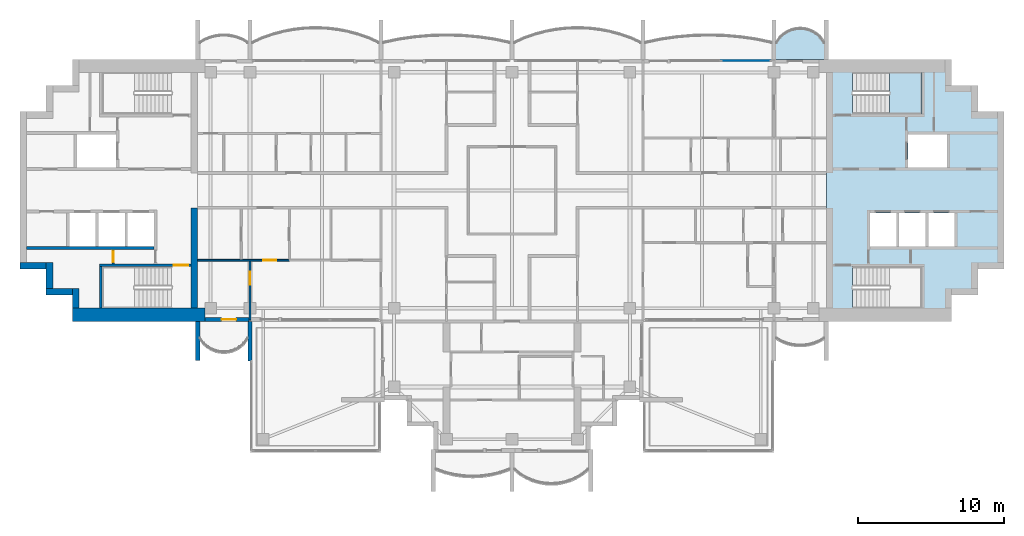
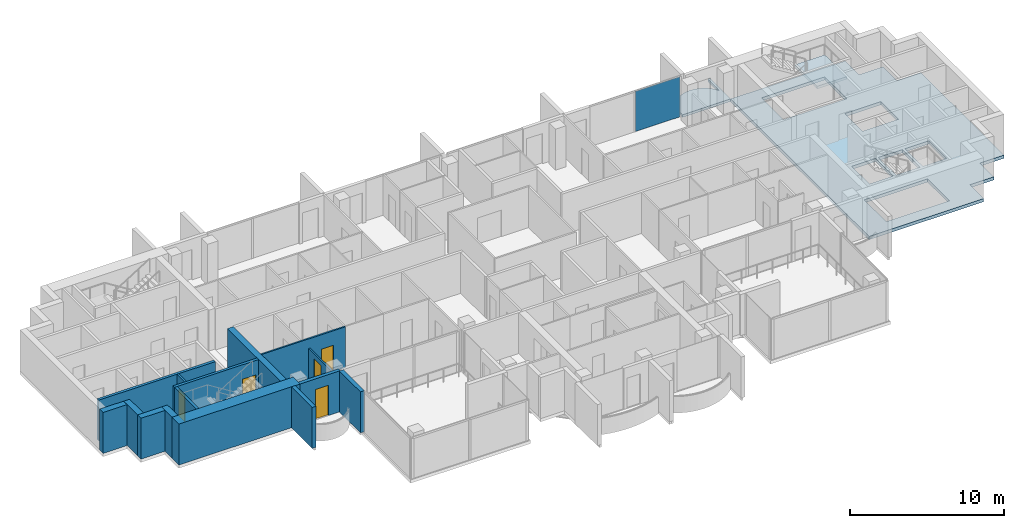
# One storey, part 6 of 16: 15 walls, 5 doors, 3 slabs, 1 plate, 5 openings, 2 elements without a shape of their own.
"""IFC4 building model written with IfcOpenShell, lengths in metres."""

from ifc_helpers import new_model, si_unit, direction, frame, frame_2d, origin, origin_2d, place, context, subcontext, project, spatial, polyline, rectangle, outline, extrude, material, layer, layer_set, type_object, element, fill, aggregate, save


model = new_model("IFC4")

# Units and contexts
model_context = context("Model", 3, precision=1e-05, world=origin(), true_north=direction((0.0, 1.0)))
body_context = subcontext(model_context, "Body", "Model", "MODEL_VIEW")
ifc_project = project(units=[si_unit("LENGTHUNIT", "METRE"), si_unit("AREAUNIT", "SQUARE_METRE"), si_unit("VOLUMEUNIT", "CUBIC_METRE"), si_unit("PLANEANGLEUNIT", "RADIAN"), si_unit("MASSUNIT", "GRAM", prefix="KILO")], contexts=[model_context])

# Site, building, storey
site_placement = place(None, origin())
site = spatial("IfcSite", under=ifc_project, at=site_placement, CompositionType="ELEMENT")
building_placement = place(site_placement, origin())
building = spatial("IfcBuilding", under=site, at=building_placement, Name="Perihelion Cross Residences", CompositionType="ELEMENT")
storey_placement = place(building_placement, frame((0.0, 0.0, 257.0)))
storey = spatial("IfcBuildingStorey", under=building, at=storey_placement, Name="L65", CompositionType="ELEMENT", Elevation=257.0)

# Slab
ifc_material_1 = material(Name="Concrete C40/50", Category="concrete")
ifc_layer_1 = layer(ifc_material_1, 0.199951171875)
ifc_layer_set_1 = layer_set([ifc_layer_1], Name="Balcony slab 200")
slab_type_1 = type_object("IfcSlabType", Name="Balcony slab 200", PredefinedType="FLOOR", material=ifc_layer_set_1)
slab_1_placement = place(storey_placement, frame((0.0, 0.0, -0.199951171875)))
element("IfcSlab", 1, at=slab_1_placement, inside=storey, type_object=slab_type_1, Name="Slab BK1 L65 east side north bay 1 balcony", PredefinedType="FLOOR", context=body_context, shape_type="SweptSolid", body=[
    extrude(outline(polyline([(21.60009765625, 9.0), (18.0, 9.0), (18.0, 11.699951171875), (18.14990234375, 11.699951171875), (18.14990234375, 10.199951171875), (18.425048828125, 10.568603515625), (18.699951171875, 10.806396484375), (18.97509765625, 10.96875), (19.25, 11.07568359375), (19.52490234375, 11.136962890625), (19.800048828125, 11.156982421875), (20.074951171875, 11.136962890625), (20.35009765625, 11.07568359375), (20.625, 10.96875), (20.89990234375, 10.806396484375), (21.175048828125, 10.568603515625), (21.449951171875, 10.199951171875), (21.449951171875, 11.699951171875), (21.60009765625, 11.699951171875), (21.60009765625, 9.0)])), origin(), (0.0, 0.0, 1.0), 0.199951171875),
])

# Curtain wall, plate
ifc_material_2 = material(Name="Bronze anodised aluminium, tinted glazing", Category="aluminium")
curtain_wall_type = type_object("IfcCurtainWallType", Name="CW1", PredefinedType="NOTDEFINED", material=ifc_material_2)
curtain_wall_placement = place(storey_placement, origin())
curtain_wall = element("IfcCurtainWall", 2, at=curtain_wall_placement, inside=storey, type_object=curtain_wall_type, Name="Curtain wall CW1 L65 east side north bay 2", PredefinedType="NOTDEFINED")
ifc_material_3 = material(Name="Tinted laminated glass", Category="glass")
ifc_layer_2 = layer(ifc_material_3, 0.028076171875)
ifc_layer_set_2 = layer_set([ifc_layer_2], Name="CW1 panel")
plate_type = type_object("IfcPlateType", Name="CW1 panel", PredefinedType="CURTAIN_PANEL", material=ifc_layer_set_2)
plate_placement = place(storey_placement, frame((16.06005859375, 8.89990234375, 0.0), z_axis=(0.0, 0.0, 1.0), x_axis=(-1.0, 0.0, 0.0)))
plate = element("IfcPlate", 3, at=plate_placement, type_object=plate_type, Name="CW1 panel 1", PredefinedType="CURTAIN_PANEL", context=body_context, shape_type="SweptSolid", body=[
    extrude(rectangle(XDim=3.360107421875, YDim=0.028076171875, at=origin_2d()), origin(), (0.0, 0.0, 1.0), 3.18994140625),
])
aggregate(curtain_wall, [plate])

# Slab
ifc_material_4 = material(Name="Concrete C40/50", Category="concrete")
ifc_layer_3 = layer(ifc_material_4, 0.25)
ifc_layer_set_3 = layer_set([ifc_layer_3], Name="Core floor slab 250")
slab_type_2 = type_object("IfcSlabType", Name="Core floor slab 250", PredefinedType="FLOOR", material=ifc_layer_set_3)
slab_2_placement = place(storey_placement, frame((0.0, 0.0, -0.25)))
element("IfcSlab", 4, at=slab_2_placement, inside=storey, type_object=slab_type_2, Name="East core floor slab", PredefinedType="FLOOR", context=body_context, shape_type="SweptSolid", body=[
    extrude(outline(polyline([(30.199951171875, 7.199951171875), (32.0, 7.199951171875), (32.0, 5.39990234375), (33.800048828125, 5.39990234375), (33.800048828125, -5.39990234375), (32.0, -5.39990234375), (32.0, -7.199951171875), (30.199951171875, -7.199951171875), (30.199951171875, -9.0), (21.60009765625, -9.0), (21.60009765625, 9.0), (30.199951171875, 9.0), (30.199951171875, 7.199951171875)]), holes=[polyline([(28.14990234375, -8.10009765625), (28.14990234375, -5.25), (23.405029296875, -5.25), (23.405029296875, -8.10009765625), (28.14990234375, -8.10009765625)]), polyline([(24.60009765625, -1.550048828125), (24.60009765625, -3.85009765625), (26.39990234375, -3.85009765625), (26.39990234375, -1.550048828125), (24.60009765625, -1.550048828125)]), polyline([(26.60009765625, -1.550048828125), (26.60009765625, -3.85009765625), (28.39990234375, -3.85009765625), (28.39990234375, -1.550048828125), (26.60009765625, -1.550048828125)]), polyline([(28.60009765625, -3.85009765625), (30.39990234375, -3.85009765625), (30.39990234375, -1.550048828125), (28.60009765625, -1.550048828125), (28.60009765625, -3.85009765625)]), polyline([(27.199951171875, 3.85009765625), (27.199951171875, 1.550048828125), (29.89990234375, 1.550048828125), (29.89990234375, 3.85009765625), (27.199951171875, 3.85009765625)]), polyline([(23.405029296875, 5.25), (28.14990234375, 5.25), (28.14990234375, 8.10009765625), (23.405029296875, 8.10009765625), (23.405029296875, 5.25)])]), origin(), (0.0, 0.0, 1.0), 0.25),
])

# Stair, slab
ifc_material_5 = material(Name="Concrete C40/50", Category="concrete")
stair_type = type_object("IfcStairType", Name="Exit stair, half-turn", PredefinedType="HALF_TURN_STAIR", material=ifc_material_5)
stair_placement = place(storey_placement, origin())
stair = element("IfcStair", 5, at=stair_placement, inside=storey, type_object=stair_type, Name="L65 East core exit stair 1", PredefinedType="HALF_TURN_STAIR")
ifc_material_6 = material(Name="Concrete C40/50", Category="concrete")
ifc_layer_4 = layer(ifc_material_6, 0.199951171875)
ifc_layer_set_4 = layer_set([ifc_layer_4], Name="Exit stair landing 200")
slab_type_3 = type_object("IfcSlabType", Name="Exit stair landing 200", PredefinedType="LANDING", material=ifc_layer_set_4)
slab_3_placement = place(storey_placement, frame((0.0, 0.0, 1.550048828125)))
slab_3 = element("IfcSlab", 6, at=slab_3_placement, type_object=slab_type_3, Name="ST-E1 landing 1", PredefinedType="LANDING", context=body_context, shape_type="SweptSolid", body=[
    extrude(outline(polyline([(25.919921875, 5.25), (28.14990234375, 5.25), (28.14990234375, 8.10009765625), (25.919921875, 8.10009765625), (25.919921875, 5.25)])), origin(), (0.0, 0.0, 1.0), 0.199951171875),
])
aggregate(stair, [slab_3])

# Wall, opening, door
ifc_material_7 = material(Name="Concrete C30/37, bronze-clad", Category="concrete")
ifc_layer_5 = layer(ifc_material_7, 0.25)
ifc_layer_set_5 = layer_set([ifc_layer_5], Name="Bronze-clad pier wall 250")
wall_type_1 = type_object("IfcWallType", Name="Bronze-clad pier wall 250", PredefinedType="SOLIDWALL", material=ifc_layer_set_5)
wall_1_placement = place(storey_placement, frame((-21.10009765625, -8.875, 0.0), z_axis=(0.0, 0.0, 1.0), x_axis=(1.0, 0.0, 0.0)))
wall_1 = element("IfcWall", 7, at=wall_1_placement, inside=storey, type_object=wall_type_1, Name="Wall FW1 L65 west side south bay 1 pier", PredefinedType="SOLIDWALL", context=body_context, shape_type="SweptSolid", body=[
    extrude(rectangle(XDim=3.0400390625, YDim=0.25, at=frame_2d((1.52001953125, 0.0))), origin(), (0.0, 0.0, 1.0), 3.25),
])
opening_1_placement = place(wall_1_placement, frame((1.14990234375, 0.0, 0.0)))
opening_1 = element("IfcOpeningElement", 8, at=opening_1_placement, cuts=wall_1, Name="Opening L65.E07", PredefinedType="OPENING", context=body_context, shape_type="SweptSolid", body=[
    extrude(rectangle(XDim=1.0, YDim=2.39990234375, at=frame_2d((0.5, 1.199951171875))), frame((0.0, 0.135009765625, 0.0), z_axis=(0.0, -1.0, 0.0), x_axis=(1.0, 0.0, 0.0)), (0.0, 0.0, 1.0), 0.27001953125),
])
ifc_material_8 = material(Name="Bronze anodised aluminium, glazed", Category="aluminium")
door_type_1 = type_object("IfcDoorType", Name="Balcony door 1000 x 2400", OperationType="NOTDEFINED", PredefinedType="DOOR", material=ifc_material_8)
door_1_placement = place(opening_1_placement, origin())
door_1 = element("IfcDoor", 9, at=door_1_placement, inside=storey, type_object=door_type_1, Name="Door L65.E07 west side south bay 1", OperationType="SINGLE_SWING_LEFT", OverallHeight=2.39990234375, OverallWidth=1.0, PredefinedType="DOOR", context=body_context, shape_type="SweptSolid", body=[
    extrude(rectangle(XDim=1.0, YDim=2.39990234375, at=frame_2d((0.5, 1.199951171875))), frame((0.0, 0.02490234375, 0.0), z_axis=(0.0, -1.0, 0.0), x_axis=(1.0, 0.0, 0.0)), (0.0, 0.0, 1.0), 0.050048828125),
])
fill(opening_1, door_1)

# Walls
ifc_material_9 = material(Name="Concrete C60/75", Category="concrete")
ifc_layer_6 = layer(ifc_material_9, 0.449951171875)
ifc_layer_set_6 = layer_set([ifc_layer_6], Name="Core wall, inner 450")
wall_type_2 = type_object("IfcWallType", Name="Core wall, inner 450", PredefinedType="SHEAR", material=ifc_layer_set_6)
wall_2_placement = place(storey_placement, frame((-21.824951171875, -8.10009765625, 0.0), z_axis=(0.0, 0.0, 1.0), x_axis=(0.0, 1.0, 0.0)))
element("IfcWall", 10, at=wall_2_placement, inside=storey, type_object=wall_type_2, Name="West core core wall, inner", PredefinedType="SHEAR", context=body_context, shape_type="SweptSolid", body=[
    extrude(rectangle(XDim=6.900146484375, YDim=0.449951171875, at=frame_2d((3.4501953125, 0.0))), origin(), (0.0, 0.0, 1.0), 3.25),
])
ifc_material_10 = material(Name="Concrete C60/75", Category="concrete")
ifc_layer_7 = layer(ifc_material_10, 0.449951171875)
ifc_layer_set_7 = layer_set([ifc_layer_7], Name="Core wall, outer 450")
wall_type_3 = type_object("IfcWallType", Name="Core wall, outer 450", PredefinedType="SHEAR", material=ifc_layer_set_7)
wall_3_placement = place(storey_placement, frame((-29.97509765625, -8.10009765625, 0.0), z_axis=(0.0, 0.0, 1.0), x_axis=(0.0, 1.0, 0.0)))
element("IfcWall", 11, at=wall_3_placement, inside=storey, type_object=wall_type_3, Name="West core core wall, outer", PredefinedType="SHEAR", context=body_context, shape_type="SweptSolid", body=[
    extrude(rectangle(XDim=1.35009765625, YDim=0.449951171875, at=frame_2d((0.675048828125, 0.0))), origin(), (0.0, 0.0, 1.0), 3.25),
])
for number, where, z_axis, x_axis, name in (
    (12, (-32.0, -6.97509765625, 0.0), (0.0, 0.0, 1.0), (1.0, 0.0, 0.0), "West core core wall, outer"),
    (13, (-31.77490234375, -6.75, 0.0), (0.0, 0.0, 1.0), (0.0, 1.0, 0.0), "West core core wall, outer"),
    (14, (-33.800048828125, -5.175048828125, 0.0), (0.0, 0.0, 1.0), (1.0, 0.0, 0.0), "West core core wall, outer"),
):
    element("IfcWall", number, at=place(storey_placement, frame(where, z_axis=z_axis, x_axis=x_axis)), inside=storey, type_object=wall_type_3, Name=name, PredefinedType="SHEAR", context=body_context, shape_type="SweptSolid", body=[
        extrude(rectangle(XDim=1.800048828125, YDim=0.449951171875, at=frame_2d((0.89990234375, 0.0))), origin(), (0.0, 0.0, 1.0), 3.25),
    ])
ifc_material_11 = material(Name="Concrete C60/75", Category="concrete")
ifc_layer_8 = layer(ifc_material_11, 0.89990234375)
ifc_layer_set_8 = layer_set([ifc_layer_8], Name="Core wall, outer 900")
wall_type_4 = type_object("IfcWallType", Name="Core wall, outer 900", PredefinedType="SHEAR", material=ifc_layer_set_8)
wall_4_placement = place(storey_placement, frame((-30.199951171875, -8.550048828125, 0.0), z_axis=(0.0, 0.0, 1.0), x_axis=(1.0, 0.0, 0.0)))
element("IfcWall", 15, at=wall_4_placement, inside=storey, type_object=wall_type_4, Name="West core core wall, outer", PredefinedType="SHEAR", context=body_context, shape_type="SweptSolid", body=[
    extrude(rectangle(XDim=9.099853515625, YDim=0.89990234375, at=frame_2d((4.5498046875, 0.0))), origin(), (0.0, 0.0, 1.0), 3.25),
])

# Wall, opening, door
ifc_material_12 = material(Name="Plasterboard partition")
ifc_layer_9 = layer(ifc_material_12, 0.1201171875)
ifc_layer_set_9 = layer_set([ifc_layer_9], Name="Partition wall 120")
wall_type_5 = type_object("IfcWallType", Name="Partition wall 120", PredefinedType="PARTITIONING", material=ifc_layer_set_9)
wall_5_placement = place(storey_placement, frame((-15.300048828125, -4.800048828125, 0.0), z_axis=(0.0, 0.0, 1.0), x_axis=(-1.0, 0.0, 0.0)))
wall_5 = element("IfcWall", 16, at=wall_5_placement, inside=storey, type_object=wall_type_5, Name="Partition L65 W060", PredefinedType="PARTITIONING", context=body_context, shape_type="SweptSolid", body=[
    extrude(rectangle(XDim=6.300048828125, YDim=0.1201171875, at=frame_2d((3.14990234375, 0.0))), origin(), (0.0, 0.0, 1.0), 3.25),
])
opening_2_placement = place(wall_5_placement, frame((0.89990234375, 0.0, 0.0)))
opening_2 = element("IfcOpeningElement", 17, at=opening_2_placement, cuts=wall_5, Name="Opening L65.A29", PredefinedType="OPENING", context=body_context, shape_type="SweptSolid", body=[
    extrude(rectangle(XDim=0.89990234375, YDim=2.10009765625, at=frame_2d((0.449951171875, 1.050048828125))), frame((0.0, 0.070068359375, 0.0), z_axis=(0.0, -1.0, 0.0), x_axis=(1.0, 0.0, 0.0)), (0.0, 0.0, 1.0), 0.14013671875),
])
ifc_material_13 = material(Name="Timber door leaf", Category="wood")
door_type_2 = type_object("IfcDoorType", Name="Interior room door 900 x 2100", OperationType="SINGLE_SWING_LEFT", PredefinedType="DOOR", material=ifc_material_13)
door_2_placement = place(opening_2_placement, origin())
door_2 = element("IfcDoor", 18, at=door_2_placement, inside=storey, type_object=door_type_2, Name="Door L65.A29", OperationType="SINGLE_SWING_LEFT", OverallHeight=2.10009765625, OverallWidth=0.89990234375, PredefinedType="DOOR", context=body_context, shape_type="SweptSolid", body=[
    extrude(rectangle(XDim=0.89990234375, YDim=2.10009765625, at=frame_2d((0.449951171875, 1.050048828125))), frame((0.0, 0.02490234375, 0.0), z_axis=(0.0, -1.0, 0.0), x_axis=(1.0, 0.0, 0.0)), (0.0, 0.0, 1.0), 0.050048828125),
])
fill(opening_2, door_2)

wall_6_placement = place(storey_placement, frame((-18.0, -8.919921875, 0.0), z_axis=(0.0, 0.0, 1.0), x_axis=(0.0, 1.0, 0.0)))
wall_6 = element("IfcWall", 19, at=wall_6_placement, inside=storey, type_object=wall_type_5, Name="Partition L65 W061", PredefinedType="PARTITIONING", context=body_context, shape_type="SweptSolid", body=[
    extrude(rectangle(XDim=4.059814453125, YDim=0.1201171875, at=frame_2d((2.02978515625, 0.0))), origin(), (0.0, 0.0, 1.0), 2.49609375),
])
opening_3_placement = place(wall_6_placement, frame((2.43994140625, 0.0, 0.0)))
opening_3 = element("IfcOpeningElement", 20, at=opening_3_placement, cuts=wall_6, Name="Opening L65.A27", PredefinedType="OPENING", context=body_context, shape_type="SweptSolid", body=[
    extrude(rectangle(XDim=0.89990234375, YDim=2.10009765625, at=frame_2d((0.449951171875, 1.050048828125))), frame((0.0, 0.070068359375, 0.0), z_axis=(0.0, -1.0, 0.0), x_axis=(1.0, 0.0, 0.0)), (0.0, 0.0, 1.0), 0.14013671875),
])
door_3_placement = place(opening_3_placement, origin())
door_3 = element("IfcDoor", 21, at=door_3_placement, inside=storey, type_object=door_type_2, Name="Door L65.A27", OperationType="SINGLE_SWING_RIGHT", OverallHeight=2.10009765625, OverallWidth=0.89990234375, PredefinedType="DOOR", context=body_context, shape_type="SweptSolid", body=[
    extrude(rectangle(XDim=0.89990234375, YDim=2.10009765625, at=frame_2d((0.449951171875, 1.050048828125))), frame((0.0, 0.02490234375, 0.0), z_axis=(0.0, -1.0, 0.0), x_axis=(1.0, 0.0, 0.0)), (0.0, 0.0, 1.0), 0.050048828125),
])
fill(opening_3, door_3)

# Walls
ifc_material_14 = material(Name="Precast concrete C50/60", Category="concrete")
ifc_layer_10 = layer(ifc_material_14, 0.300048828125)
ifc_layer_set_10 = layer_set([ifc_layer_10], Name="Precast concrete C50/60 blade wall 300")
wall_type_6 = type_object("IfcWallType", Name="Precast concrete C50/60 blade wall 300", PredefinedType="SOLIDWALL", material=ifc_layer_set_10)
wall_7_placement = place(storey_placement, frame((-21.60009765625, -9.0, 0.0), z_axis=(0.0, 0.0, 1.0), x_axis=(0.0, -1.0, 0.0)))
element("IfcWall", 22, at=wall_7_placement, inside=storey, type_object=wall_type_6, Name="Wall BL1 L65 no. 3", PredefinedType="SOLIDWALL", context=body_context, shape_type="SweptSolid", body=[
    extrude(rectangle(XDim=2.699951171875, YDim=0.300048828125, at=frame_2d((1.35009765625, 0.0))), origin(), (0.0, 0.0, 1.0), 3.25),
])
wall_8_placement = place(storey_placement, frame((-18.0, -9.0, 0.0), z_axis=(0.0, 0.0, 1.0), x_axis=(0.0, -1.0, 0.0)))
element("IfcWall", 23, at=wall_8_placement, inside=storey, type_object=wall_type_6, Name="Wall BL1 L65 no. 1", PredefinedType="SOLIDWALL", context=body_context, shape_type="SweptSolid", body=[
    extrude(rectangle(XDim=2.739990234375, YDim=0.300048828125, at=frame_2d((1.3701171875, 0.0))), origin(), (0.0, 0.0, 1.0), 3.25),
])

# Wall, opening, door
ifc_material_15 = material(Name="Fire-rated board on steel stud", Category="steel")
ifc_layer_11 = layer(ifc_material_15, 0.14990234375)
ifc_layer_set_11 = layer_set([ifc_layer_11], Name="Riser wall 150")
wall_type_7 = type_object("IfcWallType", Name="Riser wall 150", PredefinedType="PARTITIONING", material=ifc_layer_set_11)
wall_9_placement = place(storey_placement, frame((-27.39990234375, -5.050048828125, 0.0), z_axis=(0.0, 0.0, 1.0), x_axis=(0.0, 1.0, 0.0)))
wall_9 = element("IfcWall", 24, at=wall_9_placement, inside=storey, type_object=wall_type_7, Name="West core riser wall", PredefinedType="PARTITIONING", context=body_context, shape_type="SweptSolid", body=[
    extrude(rectangle(XDim=1.0, YDim=0.14990234375, at=frame_2d((0.5, 0.0))), origin(), (0.0, 0.0, 1.0), 3.25),
])
opening_4_placement = place(wall_9_placement, frame((0.10009765625, 0.0, 0.0)))
opening_4 = element("IfcOpeningElement", 25, at=opening_4_placement, cuts=wall_9, Name="Opening L65.C25", PredefinedType="OPENING", context=body_context, shape_type="SweptSolid", body=[
    extrude(rectangle(XDim=0.800048828125, YDim=2.10009765625, at=frame_2d((0.39990234375, 1.050048828125))), frame((0.0, 0.0849609375, 0.0), z_axis=(0.0, -1.0, 0.0), x_axis=(1.0, 0.0, 0.0)), (0.0, 0.0, 1.0), 0.169921875),
])
ifc_material_16 = material(Name="Steel, powder coated", Category="steel")
door_type_3 = type_object("IfcDoorType", Name="Riser door 800", OperationType="SINGLE_SWING_LEFT", PredefinedType="DOOR", material=ifc_material_16)
door_4_placement = place(opening_4_placement, origin())
door_4 = element("IfcDoor", 26, at=door_4_placement, inside=storey, type_object=door_type_3, Name="West core riser door", OperationType="SINGLE_SWING_LEFT", OverallHeight=2.10009765625, OverallWidth=0.800048828125, PredefinedType="DOOR", context=body_context, shape_type="SweptSolid", body=[
    extrude(rectangle(XDim=0.800048828125, YDim=2.10009765625, at=frame_2d((0.39990234375, 1.050048828125))), frame((0.0, 0.02490234375, 0.0), z_axis=(0.0, -1.0, 0.0), x_axis=(1.0, 0.0, 0.0)), (0.0, 0.0, 1.0), 0.050048828125),
])
fill(opening_4, door_4)

# Wall
ifc_material_17 = material(Name="Concrete C50/60", Category="concrete")
ifc_layer_12 = layer(ifc_material_17, 0.199951171875)
ifc_layer_set_12 = layer_set([ifc_layer_12], Name="Shaft wall 200")
wall_type_8 = type_object("IfcWallType", Name="Shaft wall 200", PredefinedType="SOLIDWALL", material=ifc_layer_set_12)
wall_10_placement = place(storey_placement, frame((-33.35009765625, -3.949951171875, 0.0), z_axis=(0.0, 0.0, 1.0), x_axis=(1.0, 0.0, 0.0)))
element("IfcWall", 27, at=wall_10_placement, inside=storey, type_object=wall_type_8, Name="West core shaft wall", PredefinedType="SOLIDWALL", context=body_context, shape_type="SweptSolid", body=[
    extrude(rectangle(XDim=8.75, YDim=0.199951171875, at=frame_2d((4.375, 0.0))), origin(), (0.0, 0.0, 1.0), 3.25),
])

# Wall, opening, door
ifc_material_18 = material(Name="Concrete C50/60", Category="concrete")
ifc_layer_13 = layer(ifc_material_18, 0.199951171875)
ifc_layer_set_13 = layer_set([ifc_layer_13], Name="Stair wall 200")
wall_type_9 = type_object("IfcWallType", Name="Stair wall 200", PredefinedType="SOLIDWALL", material=ifc_layer_set_13)
wall_11_placement = place(storey_placement, frame((-28.35009765625, -5.14990234375, 0.0), z_axis=(0.0, 0.0, 1.0), x_axis=(1.0, 0.0, 0.0)))
wall_11 = element("IfcWall", 28, at=wall_11_placement, inside=storey, type_object=wall_type_9, Name="West core stair wall", PredefinedType="SOLIDWALL", context=body_context, shape_type="SweptSolid", body=[
    extrude(rectangle(XDim=6.300048828125, YDim=0.199951171875, at=frame_2d((3.14990234375, 0.0))), origin(), (0.0, 0.0, 1.0), 3.25),
])
opening_5_placement = place(wall_11_placement, frame((5.10009765625, 0.0, 0.0)))
opening_5 = element("IfcOpeningElement", 29, at=opening_5_placement, cuts=wall_11, Name="Opening L65.C19", PredefinedType="OPENING", context=body_context, shape_type="SweptSolid", body=[
    extrude(rectangle(XDim=1.0, YDim=2.10009765625, at=frame_2d((0.5, 1.050048828125))), frame((0.0, 0.10986328125, 0.0), z_axis=(0.0, -1.0, 0.0), x_axis=(1.0, 0.0, 0.0)), (0.0, 0.0, 1.0), 0.219970703125),
])
ifc_material_19 = material(Name="Steel, powder coated", Category="steel")
door_type_4 = type_object("IfcDoorType", Name="Stair door 1000", OperationType="SINGLE_SWING_LEFT", PredefinedType="DOOR", material=ifc_material_19)
door_5_placement = place(opening_5_placement, origin())
door_5 = element("IfcDoor", 30, at=door_5_placement, inside=storey, type_object=door_type_4, Name="West core stair door", OperationType="SINGLE_SWING_LEFT", OverallHeight=2.10009765625, OverallWidth=1.0, PredefinedType="DOOR", context=body_context, shape_type="SweptSolid", body=[
    extrude(rectangle(XDim=1.0, YDim=2.10009765625, at=frame_2d((0.5, 1.050048828125))), frame((0.0, 0.02490234375, 0.0), z_axis=(0.0, -1.0, 0.0), x_axis=(1.0, 0.0, 0.0)), (0.0, 0.0, 1.0), 0.050048828125),
])
fill(opening_5, door_5)

# Wall
wall_12_placement = place(storey_placement, frame((-28.25, -8.10009765625, 0.0), z_axis=(0.0, 0.0, 1.0), x_axis=(0.0, 1.0, 0.0)))
element("IfcWall", 31, at=wall_12_placement, inside=storey, type_object=wall_type_9, Name="West core stair wall", PredefinedType="SOLIDWALL", context=body_context, shape_type="SweptSolid", body=[
    extrude(rectangle(XDim=2.85009765625, YDim=0.199951171875, at=frame_2d((1.425048828125, 0.0))), origin(), (0.0, 0.0, 1.0), 3.25),
])

save(model, "model.ifc")
